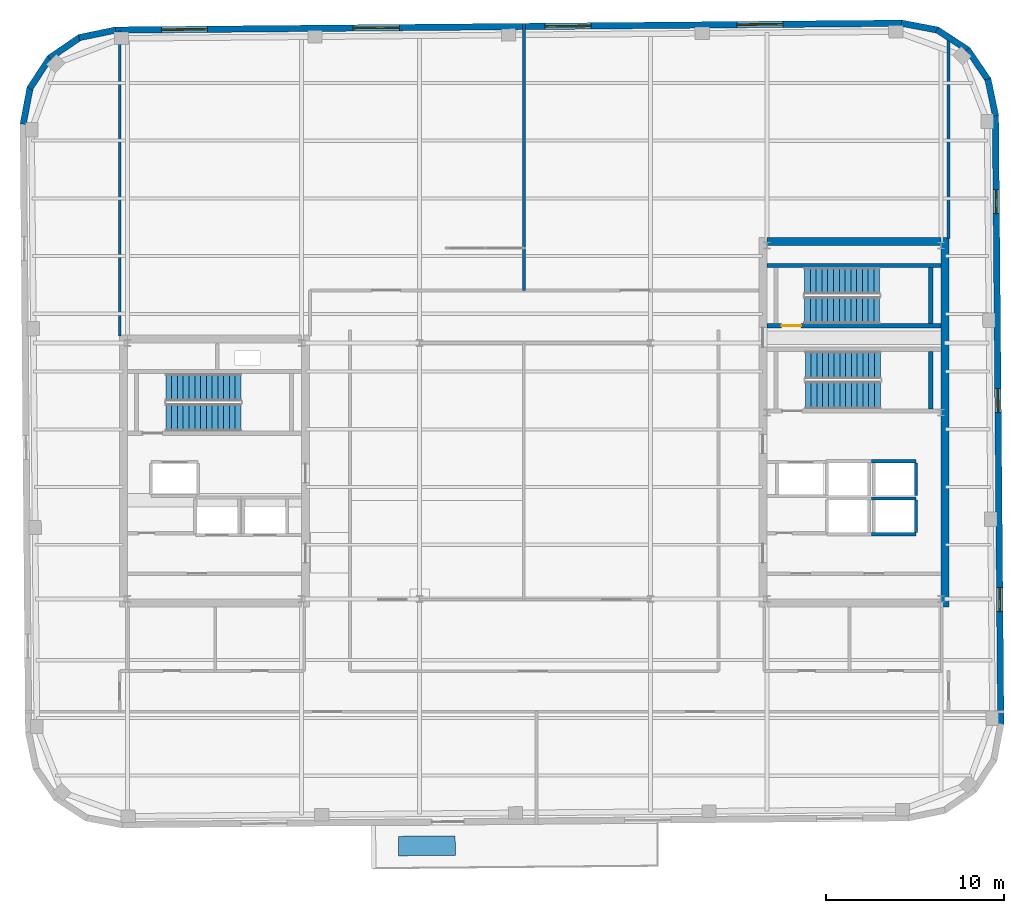
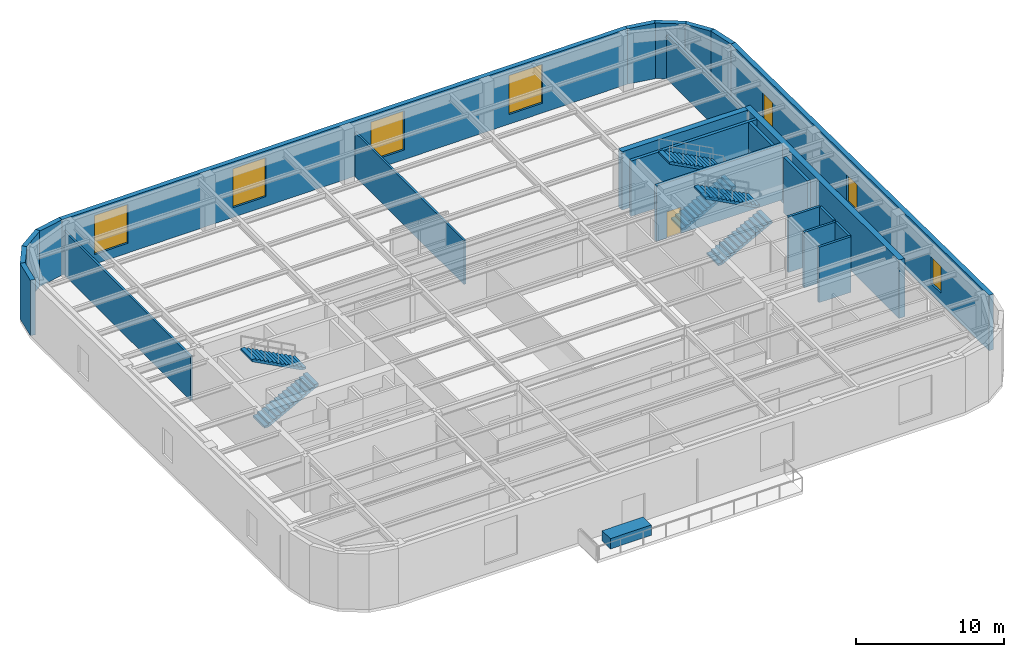
# One storey, part 10 of 13: 24 walls, 7 windows, 6 stair flights, 1 discrete accessory, 1 door, 8 openings, 3 elements without a shape of their own.
"""IFC4 building model written with IfcOpenShell, lengths in metres."""

import ifcopenshell
import ifcopenshell.guid

model = None  # the IFC model being written
_history = None  # IfcOwnerHistory: only IFC2X3 demands one
_inside = {}  # id of a spatial element -> (the spatial element, [elements in it])
_under = {}  # id of a project, library or spatial element -> (it, [spatial elements below it])
_declared = {}  # id of a project -> (the project, [libraries it declares])
_typed = {}  # id of a type object -> (the type object, [elements of that type])
_made_of = {}  # id of a material, layer set ... -> (it, [elements and type objects made of it])


def new_model(schema):
    """Start an empty IFC model of exactly this schema.

    Asked for "IFC4X3", IfcOpenShell would pick the latest addendum, in which some entities
    have other attributes; the version numbers below select the first issue.
    IFC2X3 requires an IfcOwnerHistory on every rooted entity: one is made here for all.
    """
    global model, _history
    if schema == "IFC4X3":
        model = ifcopenshell.file(schema_version=(4, 3, 0, 0))
    else:
        model = ifcopenshell.file(schema=schema)
    _inside.clear()
    _under.clear()
    _declared.clear()
    _typed.clear()
    _made_of.clear()
    _history = None
    if model.schema == "IFC2X3":
        org = make("IfcOrganization", Name="unknown")
        user = make(
            "IfcPersonAndOrganization",
            ThePerson=make("IfcPerson", FamilyName="unknown"),
            TheOrganization=org,
        )
        app = make(
            "IfcApplication",
            ApplicationDeveloper=org,
            Version="unknown",
            ApplicationFullName="unknown",
            ApplicationIdentifier="unknown",
        )
        _history = make(
            "IfcOwnerHistory",
            OwningUser=user,
            OwningApplication=app,
            ChangeAction="ADDED",
            CreationDate=0,
        )
    return model


def make(cls, **values):
    """One entity of the class cls with the attributes given. An attribute that is None is left unset."""
    return model.create_entity(
        cls, **{name: value for name, value in values.items() if value is not None}
    )


def rooted(cls, **values):
    """An entity with a GlobalId (a new one), such as an element, a storey or a relation."""
    return make(cls, GlobalId=ifcopenshell.guid.new(), OwnerHistory=_history, **values)


def si_unit(unit_type, name, prefix=None):
    """IfcSIUnit, for example si_unit("LENGTHUNIT", "METRE", prefix="MILLI")."""
    return make("IfcSIUnit", UnitType=unit_type, Prefix=prefix, Name=name)


def assignment(units):
    """IfcUnitAssignment: the units of a project."""
    return None if units is None else make("IfcUnitAssignment", Units=units)


def point(xyz):
    """IfcCartesianPoint."""
    return None if xyz is None else make("IfcCartesianPoint", Coordinates=xyz)


def direction(xyz):
    """IfcDirection."""
    return None if xyz is None else make("IfcDirection", DirectionRatios=xyz)


def frame(location, z_axis=None, x_axis=None):
    """IfcAxis2Placement3D, a coordinate frame: its origin and axes. An axis left out is left unset."""
    return make(
        "IfcAxis2Placement3D",
        Location=point(location),
        Axis=direction(z_axis),
        RefDirection=direction(x_axis),
    )


def frame_2d(location, x_axis=None):
    """IfcAxis2Placement2D, a coordinate frame in the plane: its origin and x axis."""
    return make(
        "IfcAxis2Placement2D", Location=point(location), RefDirection=direction(x_axis)
    )


def origin():
    """The frame at (0, 0, 0) with its axes left unset."""
    return frame((0.0, 0.0, 0.0))


def origin_2d():
    """The frame at (0, 0) in the plane with its x axis left unset."""
    return frame_2d((0.0, 0.0))


def place(relative_to, where):
    """IfcLocalPlacement: puts the frame where relative to a parent placement (None: the world)."""
    return make(
        "IfcLocalPlacement", PlacementRelTo=relative_to, RelativePlacement=where
    )


def context(
    kind, dimensions, precision=None, world=None, true_north=None, identifier=None
):
    """IfcGeometricRepresentationContext, for example the 3D "Model" context."""
    return make(
        "IfcGeometricRepresentationContext",
        ContextIdentifier=identifier,
        ContextType=kind,
        CoordinateSpaceDimension=dimensions,
        Precision=precision,
        WorldCoordinateSystem=world,
        TrueNorth=true_north,
    )


def subcontext(parent, identifier, kind, view, scale=None):
    """IfcGeometricRepresentationSubContext, for example "Body" below "Model"."""
    return make(
        "IfcGeometricRepresentationSubContext",
        ContextIdentifier=identifier,
        ContextType=kind,
        ParentContext=parent,
        TargetScale=scale,
        TargetView=view,
    )


def project(units=None, contexts=None):
    """IfcProject with its units and contexts."""
    return rooted(
        "IfcProject",
        Name="project",
        RepresentationContexts=contexts,
        UnitsInContext=assignment(units),
    )


def spatial(cls, under=None, at=None, **own):
    """A site, building, storey or space (cls), placed at a placement, below another one or the project."""
    s = rooted(cls, ObjectPlacement=at, **own)
    if under is not None:
        _under.setdefault(under.id(), (under, []))[1].append(s)
    return s


def polyline(points):
    """IfcPolyline through the points."""
    return make("IfcPolyline", Points=[point(p) for p in points])


def profile(cls, at=None, kind="AREA", **sizes):
    """A parametric profile (cls). Its sizes go by their IFC names, for example OverallWidth=200.0."""
    return make(cls, ProfileType=kind, Position=at, **sizes)


def rectangle(**sizes):
    """IfcRectangleProfileDef."""
    return profile("IfcRectangleProfileDef", **sizes)


def outline(outer, holes=None, kind="AREA"):
    """IfcArbitraryClosedProfileDef: a profile drawn as a closed curve; with holes, ...WithVoids."""
    if holes is None:
        return make("IfcArbitraryClosedProfileDef", ProfileType=kind, OuterCurve=outer)
    return make(
        "IfcArbitraryProfileDefWithVoids",
        ProfileType=kind,
        OuterCurve=outer,
        InnerCurves=holes,
    )


def extrude(swept, where, along, depth):
    """IfcExtrudedAreaSolid: the profile swept, set in the frame where, extruded along a direction by depth."""
    return make(
        "IfcExtrudedAreaSolid",
        SweptArea=swept,
        Position=where,
        ExtrudedDirection=direction(along),
        Depth=depth,
    )


def shape(context_of_items, identifier, shape_type, items):
    """IfcShapeRepresentation: the items that make up one representation, for example the "Body"."""
    return make(
        "IfcShapeRepresentation",
        ContextOfItems=context_of_items,
        RepresentationIdentifier=identifier,
        RepresentationType=shape_type,
        Items=items,
    )


def material(Name=None, Category=None):
    """IfcMaterial."""
    return make("IfcMaterial", Name=Name, Category=Category)


def layer(
    of_material, thickness, ventilated=None, Name=None, Category=None, Priority=None
):
    """IfcMaterialLayer: one layer of a wall or slab, of a material (None: an air gap)."""
    return make(
        "IfcMaterialLayer",
        Material=of_material,
        LayerThickness=thickness,
        IsVentilated=ventilated,
        Name=Name,
        Category=Category,
        Priority=Priority,
    )


def layer_set(layers, Name=None):
    """IfcMaterialLayerSet."""
    return make("IfcMaterialLayerSet", MaterialLayers=layers, LayerSetName=Name)


def made_of(thing, what):
    """Note that an element or type object is made of a material, layer set ...; save() writes the relation."""
    if what is not None:
        _made_of.setdefault(what.id(), (what, []))[1].append(thing)
    return thing


def type_object(cls, material=None, **own):
    """A type object (cls), such as IfcWallType, which elements share."""
    return made_of(rooted(cls, **own), material)


def element(
    cls,
    number,
    at=None,
    inside=None,
    cuts=None,
    type_object=None,
    material=None,
    context=None,
    identifier="Body",
    shape_type=None,
    held_by="IfcProductDefinitionShape",
    body=None,
    shapes=None,
    **own,
):
    """One element of the class cls, such as IfcWall. Its Tag is "e" and its number.

    at: its placement. inside: the storey or other place that contains it. cuts: it is an
    opening in that element (IfcRelVoidsElement). A single representation is given by context,
    identifier, shape_type and body (its items); several are given by shapes. held_by: the class
    of the entity that holds the representations. save() writes the other relations.
    """
    e = rooted(cls, Tag="e%d" % number, ObjectPlacement=at, **own)
    if body is not None:
        shapes = [shape(context, identifier, shape_type, body)]
    if shapes is not None:
        e.Representation = make(held_by, Representations=shapes)
    if inside is not None:
        _inside.setdefault(inside.id(), (inside, []))[1].append(e)
    if cuts is not None:
        rooted(
            "IfcRelVoidsElement", RelatingBuildingElement=cuts, RelatedOpeningElement=e
        )
    if type_object is not None:
        _typed.setdefault(type_object.id(), (type_object, []))[1].append(e)
    return made_of(e, material)


def fill(opening, filler):
    """IfcRelFillsElement: the door or window that sits in an opening."""
    return rooted(
        "IfcRelFillsElement",
        RelatingOpeningElement=opening,
        RelatedBuildingElement=filler,
    )


def aggregate(whole, parts):
    """IfcRelAggregates: a whole, such as a stair, and the parts it consists of."""
    return rooted("IfcRelAggregates", RelatingObject=whole, RelatedObjects=parts)


def save(model, path):
    """Write the relations noted so far, then the file.

    IfcRelAggregates (storeys below a building ...), IfcRelContainedInSpatialStructure (elements
    in a storey), IfcRelDefinesByType, IfcRelAssociatesMaterial and IfcRelDeclares: one each for
    every whole, place, type object, material and project.
    """
    for whole, parts in _under.values():
        aggregate(whole, parts)
    for where, things in _inside.values():
        rooted(
            "IfcRelContainedInSpatialStructure",
            RelatedElements=things,
            RelatingStructure=where,
        )
    for kind, things in _typed.values():
        rooted("IfcRelDefinesByType", RelatedObjects=things, RelatingType=kind)
    for what, things in _made_of.values():
        rooted("IfcRelAssociatesMaterial", RelatedObjects=things, RelatingMaterial=what)
    for by, libraries in _declared.values():
        rooted("IfcRelDeclares", RelatingContext=by, RelatedDefinitions=libraries)
    model.write(path)


model = new_model("IFC4")

# Units and contexts
model_context = context("Model", 3, precision=1e-05, world=origin(), true_north=direction((0.0, 1.0)))
body_context = subcontext(model_context, "Body", "Model", "MODEL_VIEW")
ifc_project = project(units=[si_unit("LENGTHUNIT", "METRE"), si_unit("AREAUNIT", "SQUARE_METRE"), si_unit("VOLUMEUNIT", "CUBIC_METRE"), si_unit("PLANEANGLEUNIT", "RADIAN"), si_unit("MASSUNIT", "GRAM", prefix="KILO")], contexts=[model_context])

# Site, building, storey
site_placement = place(None, origin())
site = spatial("IfcSite", under=ifc_project, at=site_placement, CompositionType="ELEMENT")
building_placement = place(site_placement, origin())
building = spatial("IfcBuilding", under=site, at=building_placement, Name="Kolvaren Arena Tower", CompositionType="ELEMENT")
storey_placement = place(building_placement, frame((0.0, 0.0, 312.39990234375)))
storey = spatial("IfcBuildingStorey", under=building, at=storey_placement, Name="L77", CompositionType="ELEMENT", Elevation=312.39990234375)

# Walls
ifc_material_1 = material(Name="Gypsum board acoustic assembly", Category="gypsum")
ifc_layer_1 = layer(ifc_material_1, 0.159912109375)
ifc_layer_set_1 = layer_set([ifc_layer_1], Name="Gypsum board acoustic assembly")
wall_type_1 = type_object("IfcWallType", Name="CORR-160", PredefinedType="PARTITIONING", material=ifc_layer_set_1)
wall_1_placement = place(storey_placement, frame((36.8701171875, 36.820068359375, 0.0), z_axis=(0.0, 0.0, 1.0), x_axis=(0.0, 1.0, 0.0)))
element("IfcWall", 1, at=wall_1_placement, inside=storey, type_object=wall_type_1, Name="Interior Partition Wall (L77)", PredefinedType="PARTITIONING", context=body_context, shape_type="SweptSolid", body=[
    extrude(rectangle(XDim=15.03662109375, YDim=0.159912109375, at=frame_2d((7.518310546875, 0.0))), origin(), (0.0, 0.0, 1.0), 3.6201171875),
])
wall_2_placement = place(storey_placement, frame((14.1201171875, 34.25, 0.0), z_axis=(0.0, 0.0, 1.0), x_axis=(0.0, 1.0, 0.0)))
element("IfcWall", 2, at=wall_2_placement, inside=storey, type_object=wall_type_1, Name="Interior Partition Wall (L77)", PredefinedType="PARTITIONING", context=body_context, shape_type="SweptSolid", body=[
    extrude(rectangle(XDim=17.168212890625, YDim=0.159912109375, at=frame_2d((8.583984375, 0.0))), origin(), (0.0, 0.0, 1.0), 3.6201171875),
])
wall_3_placement = place(storey_placement, frame((60.780029296875, 39.75, 0.0), z_axis=(0.0, 0.0, 1.0), x_axis=(0.0, 1.0, 0.0)))
element("IfcWall", 3, at=wall_3_placement, inside=storey, type_object=wall_type_1, Name="Interior Partition Wall (L77)", PredefinedType="PARTITIONING", context=body_context, shape_type="SweptSolid", body=[
    extrude(rectangle(XDim=11.246826171875, YDim=0.159912109375, at=frame_2d((5.62353515625, 0.0))), origin(), (0.0, 0.0, 1.0), 3.6201171875),
])
ifc_material_2 = material(Name="Concrete 55 MPa", Category="concrete")
ifc_layer_2 = layer(ifc_material_2, 0.449951171875)
ifc_layer_set_2 = layer_set([ifc_layer_2], Name="Concrete 55 MPa")
wall_type_2 = type_object("IfcWallType", Name="CWALL-450", PredefinedType="SHEAR", material=ifc_layer_set_2)
wall_4_placement = place(storey_placement, frame((60.574951171875, 19.0, -0.239990234375), z_axis=(0.0, 0.0, 1.0), x_axis=(0.0, 1.0, 0.0)))
element("IfcWall", 4, at=wall_4_placement, inside=storey, type_object=wall_type_2, Name="Core Shear Wall EC-EAST (L77)", PredefinedType="SHEAR", context=body_context, shape_type="SweptSolid", body=[
    extrude(rectangle(XDim=20.800048828125, YDim=0.449951171875, at=frame_2d((10.39990234375, 0.0))), origin(), (0.0, 0.0, 1.0), 4.800048828125),
])
wall_5_placement = place(storey_placement, frame((50.550048828125, 39.574951171875, -0.239990234375), z_axis=(0.0, 0.0, 1.0), x_axis=(1.0, 0.0, 0.0)))
element("IfcWall", 5, at=wall_5_placement, inside=storey, type_object=wall_type_2, Name="Core Shear Wall EC-NORTH (L77)", PredefinedType="SHEAR", context=body_context, shape_type="SweptSolid", body=[
    extrude(rectangle(XDim=9.800048828125, YDim=0.449951171875, at=frame_2d((4.89990234375, 0.0))), origin(), (0.0, 0.0, 1.0), 4.800048828125),
])

# Wall, openings, windows
ifc_material_3 = material(Name="Precast concrete C50/60", Category="concrete")
ifc_layer_3 = layer(ifc_material_3, 0.360107421875)
ifc_layer_set_3 = layer_set([ifc_layer_3], Name="Precast concrete C50/60")
wall_type_3 = type_object("IfcWallType", Name="EXT-PIER2", PredefinedType="SOLIDWALL", material=ifc_layer_set_3)
wall_6_placement = place(storey_placement, frame((63.419189453125, 46.688232421875, 0.0), z_axis=(0.0, 0.0, 1.0), x_axis=(0.008726391715, -0.999961924319, 0.0)))
wall_6 = element("IfcWall", 6, at=wall_6_placement, inside=storey, type_object=wall_type_3, Name="Exterior Precast Masonry-Frame Wall (L77)", PredefinedType="SOLIDWALL", context=body_context, shape_type="SweptSolid", body=[
    extrude(rectangle(XDim=34.300048828125, YDim=0.360107421875, at=frame_2d((17.14990234375, 0.0))), origin(), (0.0, 0.0, 1.0), 4.56005859375),
])
opening_1_placement = place(wall_6_placement, frame((4.199951171875, 0.0, 0.8798828125)))
opening_1 = element("IfcOpeningElement", 7, at=opening_1_placement, cuts=wall_6, Name="Opening W04", PredefinedType="OPENING", context=body_context, shape_type="SweptSolid", body=[
    extrude(rectangle(XDim=1.35009765625, YDim=2.199951171875, at=frame_2d((0.675048828125, 1.10009765625))), frame((0.0, 0.18994140625, 0.0), z_axis=(0.0, -1.0, 0.0), x_axis=(1.0, 0.0, 0.0)), (0.0, 0.0, 1.0), 0.380126953125),
])
opening_2_placement = place(wall_6_placement, frame((15.39990234375, 0.0, 0.8798828125)))
opening_2 = element("IfcOpeningElement", 8, at=opening_2_placement, cuts=wall_6, Name="Opening W04", PredefinedType="OPENING", context=body_context, shape_type="SweptSolid", body=[
    extrude(rectangle(XDim=1.35009765625, YDim=2.199951171875, at=frame_2d((0.675048828125, 1.10009765625))), frame((0.0, 0.18994140625, 0.0), z_axis=(0.0, -1.0, 0.0), x_axis=(1.0, 0.0, 0.0)), (0.0, 0.0, 1.0), 0.380126953125),
])
opening_3_placement = place(wall_6_placement, frame((26.60009765625, 0.0, 0.8798828125)))
opening_3 = element("IfcOpeningElement", 9, at=opening_3_placement, cuts=wall_6, Name="Opening W04", PredefinedType="OPENING", context=body_context, shape_type="SweptSolid", body=[
    extrude(rectangle(XDim=1.35009765625, YDim=2.199951171875, at=frame_2d((0.675048828125, 1.10009765625))), frame((0.0, 0.18994140625, 0.0), z_axis=(0.0, -1.0, 0.0), x_axis=(1.0, 0.0, 0.0)), (0.0, 0.0, 1.0), 0.380126953125),
])
ifc_material_4 = material(Name="Triple-glazed curved-facet corner window", Category="glass")
window_type_1 = type_object("IfcWindowType", Name="WIN-CRN-A", PartitioningType="SINGLE_PANEL", PredefinedType="WINDOW", material=ifc_material_4)
window_1_placement = place(opening_1_placement, origin())
window_1 = element("IfcWindow", 10, at=window_1_placement, inside=storey, type_object=window_type_1, Name="End-Wall Punched Window (L77)", OverallHeight=2.199951171875, OverallWidth=1.35009765625, PartitioningType="SINGLE_PANEL", PredefinedType="WINDOW", context=body_context, shape_type="SweptSolid", body=[
    extrude(rectangle(XDim=1.35009765625, YDim=2.199951171875, at=frame_2d((0.675048828125, 1.10009765625))), frame((0.0, 0.030029296875, 0.0), z_axis=(0.0, -1.0, 0.0), x_axis=(1.0, 0.0, 0.0)), (0.0, 0.0, 1.0), 0.06005859375),
])
fill(opening_1, window_1)
window_2_placement = place(opening_2_placement, origin())
window_2 = element("IfcWindow", 11, at=window_2_placement, inside=storey, type_object=window_type_1, Name="End-Wall Punched Window (L77)", OverallHeight=2.199951171875, OverallWidth=1.35009765625, PartitioningType="SINGLE_PANEL", PredefinedType="WINDOW", context=body_context, shape_type="SweptSolid", body=[
    extrude(rectangle(XDim=1.35009765625, YDim=2.199951171875, at=frame_2d((0.675048828125, 1.10009765625))), frame((0.0, 0.030029296875, 0.0), z_axis=(0.0, -1.0, 0.0), x_axis=(1.0, 0.0, 0.0)), (0.0, 0.0, 1.0), 0.06005859375),
])
fill(opening_2, window_2)
window_3_placement = place(opening_3_placement, origin())
window_3 = element("IfcWindow", 12, at=window_3_placement, inside=storey, type_object=window_type_1, Name="End-Wall Punched Window (L77)", OverallHeight=2.199951171875, OverallWidth=1.35009765625, PartitioningType="SINGLE_PANEL", PredefinedType="WINDOW", context=body_context, shape_type="SweptSolid", body=[
    extrude(rectangle(XDim=1.35009765625, YDim=2.199951171875, at=frame_2d((0.675048828125, 1.10009765625))), frame((0.0, 0.030029296875, 0.0), z_axis=(0.0, -1.0, 0.0), x_axis=(1.0, 0.0, 0.0)), (0.0, 0.0, 1.0), 0.06005859375),
])
fill(opening_3, window_3)

# Walls
for number, where, z_axis, x_axis, name in (
    (13, (62.993896484375, 48.7158203125, 0.0), (0.0, 0.0, 1.0), (0.203709000552, -0.979031482177, 0.0), "Exterior Precast Masonry-Frame Wall (L77)"),
    (14, (61.835693359375, 50.392822265625, 0.0), (0.0, 0.0, 1.0), (0.562829722645, -0.826572866302, 0.0), "Exterior Precast Masonry-Frame Wall (L77)"),
):
    element("IfcWall", number, at=place(storey_placement, frame(where, z_axis=z_axis, x_axis=x_axis)), inside=storey, type_object=wall_type_3, Name=name, PredefinedType="SOLIDWALL", context=body_context, shape_type="SweptSolid", body=[
        extrude(rectangle(XDim=2.10693359375, YDim=0.360107421875, at=frame_2d((1.053466796875, 0.0))), origin(), (0.0, 0.0, 1.0), 4.56005859375),
    ])
for number, where, z_axis, x_axis, name in (
    (15, (60.123779296875, 51.498779296875, 0.0), (0.0, 0.0, 1.0), (0.83632188969, -0.548238722478, 0.0), "Exterior Precast Masonry-Frame Wall (L77)"),
    (16, (58.118896484375, 51.865478515625, 0.0), (0.0, 0.0, 1.0), (0.982463107022, -0.186457081764, 0.0), "Exterior Precast Masonry-Frame Wall (L77)"),
):
    element("IfcWall", number, at=place(storey_placement, frame(where, z_axis=z_axis, x_axis=x_axis)), inside=storey, type_object=wall_type_3, Name=name, PredefinedType="SOLIDWALL", context=body_context, shape_type="SweptSolid", body=[
        extrude(rectangle(XDim=2.106689453125, YDim=0.360107421875, at=frame_2d((1.05322265625, 0.0))), origin(), (0.0, 0.0, 1.0), 4.56005859375),
    ])

# Wall, openings, windows
wall_7_placement = place(storey_placement, frame((13.855712890625, 51.475830078125, 0.0), z_axis=(0.0, 0.0, 1.0), x_axis=(0.999961944954, 0.008724026757, 0.0)))
wall_7 = element("IfcWall", 17, at=wall_7_placement, inside=storey, type_object=wall_type_3, Name="Exterior Precast Masonry-Frame Wall (L77)", PredefinedType="SOLIDWALL", context=body_context, shape_type="SweptSolid", body=[
    extrude(rectangle(XDim=44.300048828125, YDim=0.360107421875, at=frame_2d((22.14990234375, 0.0))), origin(), (0.0, 0.0, 1.0), 4.56005859375),
])
opening_4_placement = place(wall_7_placement, frame((2.60009765625, 0.0, 0.800048828125)))
opening_4 = element("IfcOpeningElement", 18, at=opening_4_placement, cuts=wall_7, Name="Opening W06", PredefinedType="OPENING", context=body_context, shape_type="SweptSolid", body=[
    extrude(rectangle(XDim=2.60009765625, YDim=3.199951171875, at=frame_2d((1.300048828125, 1.60009765625))), frame((0.0, 0.18994140625, 0.0), z_axis=(0.0, -1.0, 0.0), x_axis=(1.0, 0.0, 0.0)), (0.0, 0.0, 1.0), 0.380126953125),
])
opening_5_placement = place(wall_7_placement, frame((13.39990234375, 0.0, 0.800048828125)))
opening_5 = element("IfcOpeningElement", 19, at=opening_5_placement, cuts=wall_7, Name="Opening W06", PredefinedType="OPENING", context=body_context, shape_type="SweptSolid", body=[
    extrude(rectangle(XDim=2.60009765625, YDim=3.199951171875, at=frame_2d((1.300048828125, 1.60009765625))), frame((0.0, 0.18994140625, 0.0), z_axis=(0.0, -1.0, 0.0), x_axis=(1.0, 0.0, 0.0)), (0.0, 0.0, 1.0), 0.380126953125),
])
opening_6_placement = place(wall_7_placement, frame((24.199951171875, 0.0, 0.800048828125)))
opening_6 = element("IfcOpeningElement", 20, at=opening_6_placement, cuts=wall_7, Name="Opening W06", PredefinedType="OPENING", context=body_context, shape_type="SweptSolid", body=[
    extrude(rectangle(XDim=2.60009765625, YDim=3.199951171875, at=frame_2d((1.300048828125, 1.60009765625))), frame((0.0, 0.18994140625, 0.0), z_axis=(0.0, -1.0, 0.0), x_axis=(1.0, 0.0, 0.0)), (0.0, 0.0, 1.0), 0.380126953125),
])
opening_7_placement = place(wall_7_placement, frame((35.0, 0.0, 0.800048828125)))
opening_7 = element("IfcOpeningElement", 21, at=opening_7_placement, cuts=wall_7, Name="Opening W06", PredefinedType="OPENING", context=body_context, shape_type="SweptSolid", body=[
    extrude(rectangle(XDim=2.60009765625, YDim=3.199951171875, at=frame_2d((1.300048828125, 1.60009765625))), frame((0.0, 0.18994140625, 0.0), z_axis=(0.0, -1.0, 0.0), x_axis=(1.0, 0.0, 0.0)), (0.0, 0.0, 1.0), 0.380126953125),
])
ifc_material_5 = material(Name="Triple-glazed observatory picture window", Category="glass")
window_type_2 = type_object("IfcWindowType", Name="WIN-OBS-A", PartitioningType="DOUBLE_PANEL_VERTICAL", PredefinedType="WINDOW", material=ifc_material_5)
window_4_placement = place(opening_4_placement, origin())
window_4 = element("IfcWindow", 22, at=window_4_placement, inside=storey, type_object=window_type_2, Name="Punched Precast-Pier Window (L77)", OverallHeight=3.199951171875, OverallWidth=2.60009765625, PartitioningType="DOUBLE_PANEL_VERTICAL", PredefinedType="WINDOW", context=body_context, shape_type="SweptSolid", body=[
    extrude(rectangle(XDim=2.60009765625, YDim=3.199951171875, at=frame_2d((1.300048828125, 1.60009765625))), frame((0.0, 0.030029296875, 0.0), z_axis=(0.0, -1.0, 0.0), x_axis=(1.0, 0.0, 0.0)), (0.0, 0.0, 1.0), 0.06005859375),
])
fill(opening_4, window_4)
window_5_placement = place(opening_5_placement, origin())
window_5 = element("IfcWindow", 23, at=window_5_placement, inside=storey, type_object=window_type_2, Name="Punched Precast-Pier Window (L77)", OverallHeight=3.199951171875, OverallWidth=2.60009765625, PartitioningType="DOUBLE_PANEL_VERTICAL", PredefinedType="WINDOW", context=body_context, shape_type="SweptSolid", body=[
    extrude(rectangle(XDim=2.60009765625, YDim=3.199951171875, at=frame_2d((1.300048828125, 1.60009765625))), frame((0.0, 0.030029296875, 0.0), z_axis=(0.0, -1.0, 0.0), x_axis=(1.0, 0.0, 0.0)), (0.0, 0.0, 1.0), 0.06005859375),
])
fill(opening_5, window_5)
window_6_placement = place(opening_6_placement, origin())
window_6 = element("IfcWindow", 24, at=window_6_placement, inside=storey, type_object=window_type_2, Name="Punched Precast-Pier Window (L77)", OverallHeight=3.199951171875, OverallWidth=2.60009765625, PartitioningType="DOUBLE_PANEL_VERTICAL", PredefinedType="WINDOW", context=body_context, shape_type="SweptSolid", body=[
    extrude(rectangle(XDim=2.60009765625, YDim=3.199951171875, at=frame_2d((1.300048828125, 1.60009765625))), frame((0.0, 0.030029296875, 0.0), z_axis=(0.0, -1.0, 0.0), x_axis=(1.0, 0.0, 0.0)), (0.0, 0.0, 1.0), 0.06005859375),
])
fill(opening_6, window_6)
window_7_placement = place(opening_7_placement, origin())
window_7 = element("IfcWindow", 25, at=window_7_placement, inside=storey, type_object=window_type_2, Name="Punched Precast-Pier Window (L77)", OverallHeight=3.199951171875, OverallWidth=2.60009765625, PartitioningType="DOUBLE_PANEL_VERTICAL", PredefinedType="WINDOW", context=body_context, shape_type="SweptSolid", body=[
    extrude(rectangle(XDim=2.60009765625, YDim=3.199951171875, at=frame_2d((1.300048828125, 1.60009765625))), frame((0.0, 0.030029296875, 0.0), z_axis=(0.0, -1.0, 0.0), x_axis=(1.0, 0.0, 0.0)), (0.0, 0.0, 1.0), 0.06005859375),
])
fill(opening_7, window_7)

# Walls
for number, where, z_axis, x_axis, name in (
    (26, (11.827880859375, 51.050537109375, 0.0), (0.0, 0.0, 1.0), (0.97905458633, 0.203597929717, 0.0), "Exterior Precast Masonry-Frame Wall (L77)"),
    (27, (10.15087890625, 49.89208984375, 0.0), (0.0, 0.0, 1.0), (0.826609569219, 0.56277581689, 0.0), "Exterior Precast Masonry-Frame Wall (L77)"),
):
    element("IfcWall", number, at=place(storey_placement, frame(where, z_axis=z_axis, x_axis=x_axis)), inside=storey, type_object=wall_type_3, Name=name, PredefinedType="SOLIDWALL", context=body_context, shape_type="SweptSolid", body=[
        extrude(rectangle(XDim=2.10693359375, YDim=0.360107421875, at=frame_2d((1.053466796875, 0.0))), origin(), (0.0, 0.0, 1.0), 4.56005859375),
    ])
for number, where, z_axis, x_axis, name in (
    (28, (9.044921875, 48.18017578125, 0.0), (0.0, 0.0, 1.0), (0.548266637224, 0.836303589916, 0.0), "Exterior Precast Masonry-Frame Wall (L77)"),
    (29, (8.67822265625, 46.17529296875, 0.0), (0.0, 0.0, 1.0), (0.186547695246, 0.982445905584, 0.0), "Exterior Precast Masonry-Frame Wall (L77)"),
):
    element("IfcWall", number, at=place(storey_placement, frame(where, z_axis=z_axis, x_axis=x_axis)), inside=storey, type_object=wall_type_3, Name=name, PredefinedType="SOLIDWALL", context=body_context, shape_type="SweptSolid", body=[
        extrude(rectangle(XDim=2.107177734375, YDim=0.360107421875, at=frame_2d((1.0537109375, 0.0))), origin(), (0.0, 0.0, 1.0), 4.56005859375),
    ])
ifc_material_6 = material(Name="Concrete 45 MPa", Category="concrete")
ifc_layer_4 = layer(ifc_material_6, 0.25)
ifc_layer_set_4 = layer_set([ifc_layer_4], Name="Concrete 45 MPa")
wall_type_4 = type_object("IfcWallType", Name="SHAFT-250", PredefinedType="SOLIDWALL", material=ifc_layer_set_4)
wall_8_placement = place(storey_placement, frame((59.780029296875, 30.14990234375, 0.0), z_axis=(0.0, 0.0, 1.0), x_axis=(0.0, 1.0, 0.0)))
element("IfcWall", 30, at=wall_8_placement, inside=storey, type_object=wall_type_4, Name="Core Shaft Wall (L77)", PredefinedType="SOLIDWALL", context=body_context, shape_type="SweptSolid", body=[
    extrude(rectangle(XDim=3.22998046875, YDim=0.239990234375, at=frame_2d((1.614990234375, 0.0))), origin(), (0.0, 0.0, 1.0), 4.56005859375),
])

# Wall, opening, door
wall_9_placement = place(storey_placement, frame((60.35009765625, 34.830078125, 0.0), z_axis=(0.0, 0.0, 1.0), x_axis=(-1.0, 0.0, 0.0)))
wall_9 = element("IfcWall", 31, at=wall_9_placement, inside=storey, type_object=wall_type_4, Name="Core Shaft Wall (L77)", PredefinedType="SOLIDWALL", context=body_context, shape_type="SweptSolid", body=[
    extrude(rectangle(XDim=9.800048828125, YDim=0.239990234375, at=frame_2d((4.89990234375, 0.0))), origin(), (0.0, 0.0, 1.0), 4.56005859375),
])
opening_8_placement = place(wall_9_placement, frame((7.8701171875, 0.0, 0.0)))
opening_8 = element("IfcOpeningElement", 32, at=opening_8_placement, cuts=wall_9, Name="Opening D03", PredefinedType="OPENING", context=body_context, shape_type="SweptSolid", body=[
    extrude(rectangle(XDim=1.10009765625, YDim=2.14990234375, at=frame_2d((0.550048828125, 1.074951171875))), frame((0.0, 0.1298828125, 0.0), z_axis=(0.0, -1.0, 0.0), x_axis=(1.0, 0.0, 0.0)), (0.0, 0.0, 1.0), 0.260009765625),
])
ifc_material_7 = material(Name="Fire-rated steel exit stair door", Category="steel")
door_type = type_object("IfcDoorType", Name="DOOR-ST-110", OperationType="NOTDEFINED", PredefinedType="DOOR", material=ifc_material_7)
door_placement = place(opening_8_placement, origin())
door = element("IfcDoor", 33, at=door_placement, inside=storey, type_object=door_type, Name="Stair ST-E2 Fire Door (L77)", OperationType="SINGLE_SWING_LEFT", OverallHeight=2.14990234375, OverallWidth=1.10009765625, PredefinedType="DOOR", context=body_context, shape_type="SweptSolid", body=[
    extrude(rectangle(XDim=1.10009765625, YDim=2.14990234375, at=frame_2d((0.550048828125, 1.074951171875))), frame((0.0, 0.02490234375, 0.0), z_axis=(0.0, -1.0, 0.0), x_axis=(1.0, 0.0, 0.0)), (0.0, 0.0, 1.0), 0.050048828125),
])
fill(opening_8, door)

# Walls
wall_10_placement = place(storey_placement, frame((50.550048828125, 38.219970703125, 0.0), z_axis=(0.0, 0.0, 1.0), x_axis=(1.0, 0.0, 0.0)))
element("IfcWall", 34, at=wall_10_placement, inside=storey, type_object=wall_type_4, Name="Core Shaft Wall (L77)", PredefinedType="SOLIDWALL", context=body_context, shape_type="SweptSolid", body=[
    extrude(rectangle(XDim=9.800048828125, YDim=0.239990234375, at=frame_2d((4.89990234375, 0.0))), origin(), (0.0, 0.0, 1.0), 4.56005859375),
])
wall_11_placement = place(storey_placement, frame((59.780029296875, 34.949951171875, 0.0), z_axis=(0.0, 0.0, 1.0), x_axis=(0.0, 1.0, 0.0)))
element("IfcWall", 35, at=wall_11_placement, inside=storey, type_object=wall_type_4, Name="Core Shaft Wall (L77)", PredefinedType="SOLIDWALL", context=body_context, shape_type="SweptSolid", body=[
    extrude(rectangle(XDim=3.150146484375, YDim=0.239990234375, at=frame_2d((1.5751953125, 0.0))), origin(), (0.0, 0.0, 1.0), 4.56005859375),
])
for number, where, z_axis, x_axis, name in (
    (36, (56.43994140625, 25.10498046875, 0.0), (0.0, 0.0, 1.0), (1.0, 0.0, 0.0), "Core Shaft Wall (L77)"),
    (37, (56.43994140625, 23.094970703125, 0.0), (0.0, 0.0, 1.0), (1.0, 0.0, 0.0), "Core Shaft Wall (L77)"),
):
    element("IfcWall", number, at=place(storey_placement, frame(where, z_axis=z_axis, x_axis=x_axis)), inside=storey, type_object=wall_type_4, Name=name, PredefinedType="SOLIDWALL", context=body_context, shape_type="SweptSolid", body=[
        extrude(rectangle(XDim=2.5, YDim=0.179931640625, at=frame_2d((1.25, 0.0))), origin(), (0.0, 0.0, 1.0), 4.56005859375),
    ])
wall_12_placement = place(storey_placement, frame((58.93994140625, 23.18505859375, 0.0), z_axis=(0.0, 0.0, 1.0), x_axis=(0.0, 1.0, 0.0)))
element("IfcWall", 38, at=wall_12_placement, inside=storey, type_object=wall_type_4, Name="Core Shaft Wall (L77)", PredefinedType="SOLIDWALL", context=body_context, shape_type="SweptSolid", body=[
    extrude(rectangle(XDim=1.829833984375, YDim=0.179931640625, at=frame_2d((0.9150390625, 0.0))), origin(), (0.0, 0.0, 1.0), 4.56005859375),
])
wall_13_placement = place(storey_placement, frame((56.43994140625, 27.205078125, 0.0), z_axis=(0.0, 0.0, 1.0), x_axis=(1.0, 0.0, 0.0)))
element("IfcWall", 39, at=wall_13_placement, inside=storey, type_object=wall_type_4, Name="Core Shaft Wall (L77)", PredefinedType="SOLIDWALL", context=body_context, shape_type="SweptSolid", body=[
    extrude(rectangle(XDim=2.5, YDim=0.179931640625, at=frame_2d((1.25, 0.0))), origin(), (0.0, 0.0, 1.0), 4.56005859375),
])
wall_14_placement = place(storey_placement, frame((58.93994140625, 25.284912109375, 0.0), z_axis=(0.0, 0.0, 1.0), x_axis=(0.0, 1.0, 0.0)))
element("IfcWall", 40, at=wall_14_placement, inside=storey, type_object=wall_type_4, Name="Core Shaft Wall (L77)", PredefinedType="SOLIDWALL", context=body_context, shape_type="SweptSolid", body=[
    extrude(rectangle(XDim=1.830078125, YDim=0.179931640625, at=frame_2d((0.9150390625, 0.0))), origin(), (0.0, 0.0, 1.0), 4.56005859375),
])

# Stair, stair flights
stair_type_1 = type_object("IfcStairType", Name="STAIR-CORE-150", PredefinedType="HALF_TURN_STAIR", material=ifc_material_6)
stair_1_placement = place(storey_placement, origin())
stair_1 = element("IfcStair", 41, at=stair_1_placement, inside=storey, type_object=stair_type_1, Name="L77 ST-E2", PredefinedType="HALF_TURN_STAIR")
stair_flight_type_1 = type_object("IfcStairFlightType", Name="FLT-150", PredefinedType="STRAIGHT", material=ifc_material_6)
stair_flight_1_placement = place(storey_placement, frame((52.679931640625, 35.699951171875, 0.0), z_axis=(0.0, 0.0, 1.0), x_axis=(1.0, 0.0, 0.0)))
stair_flight_1 = element("IfcStairFlight", 42, at=stair_flight_1_placement, type_object=stair_flight_type_1, Name="ST-E2 flight 1", NumberOfRisers=14, NumberOfTreads=13, PredefinedType="STRAIGHT", RiserHeight=0.171428571, TreadLength=0.324, context=body_context, shape_type="SweptSolid", body=[
    extrude(outline(polyline([(0.0, 0.0), (0.0, 0.17138671875), (0.323974609375, 0.17138671875), (0.323974609375, 0.3427734375), (0.64794921875, 0.3427734375), (0.64794921875, 0.514404296875), (0.971923828125, 0.514404296875), (0.971923828125, 0.685791015625), (1.2958984375, 0.685791015625), (1.2958984375, 0.857177734375), (1.6201171875, 0.857177734375), (1.6201171875, 1.028564453125), (1.944091796875, 1.028564453125), (1.944091796875, 1.199951171875), (2.26806640625, 1.199951171875), (2.26806640625, 1.371337890625), (2.592041015625, 1.371337890625), (2.592041015625, 1.54296875), (2.916015625, 1.54296875), (2.916015625, 1.71435546875), (3.239990234375, 1.71435546875), (3.239990234375, 1.8857421875), (3.56396484375, 1.8857421875), (3.56396484375, 2.05712890625), (3.887939453125, 2.05712890625), (3.887939453125, 2.228515625), (4.2119140625, 2.228515625), (4.2119140625, 2.39990234375), (4.2119140625, 2.05908203125), (0.320556640625, 0.0), (0.0, 0.0)])), frame((0.0, 0.75, 0.0), z_axis=(0.0, -1.0, 0.0), x_axis=(1.0, 0.0, 0.0)), (0.0, 0.0, 1.0), 1.5),
])
stair_flight_2_placement = place(storey_placement, frame((56.89208984375, 37.35009765625, 2.400146484375), z_axis=(0.0, 0.0, 1.0), x_axis=(-1.0, 0.0, 0.0)))
stair_flight_2 = element("IfcStairFlight", 43, at=stair_flight_2_placement, type_object=stair_flight_type_1, Name="ST-E2 flight 2", NumberOfRisers=14, NumberOfTreads=13, PredefinedType="STRAIGHT", RiserHeight=0.171428571, TreadLength=0.324, context=body_context, shape_type="SweptSolid", body=[
    extrude(outline(polyline([(0.0, 0.0), (0.0, 0.17138671875), (0.323974609375, 0.17138671875), (0.323974609375, 0.3427734375), (0.64794921875, 0.3427734375), (0.64794921875, 0.514404296875), (0.971923828125, 0.514404296875), (0.971923828125, 0.685791015625), (1.2958984375, 0.685791015625), (1.2958984375, 0.857177734375), (1.6201171875, 0.857177734375), (1.6201171875, 1.028564453125), (1.944091796875, 1.028564453125), (1.944091796875, 1.199951171875), (2.26806640625, 1.199951171875), (2.26806640625, 1.371337890625), (2.592041015625, 1.371337890625), (2.592041015625, 1.54296875), (2.916015625, 1.54296875), (2.916015625, 1.71435546875), (3.239990234375, 1.71435546875), (3.239990234375, 1.8857421875), (3.56396484375, 1.8857421875), (3.56396484375, 2.05712890625), (3.887939453125, 2.05712890625), (3.887939453125, 2.228515625), (4.2119140625, 2.228515625), (4.2119140625, 2.39990234375), (4.2119140625, 2.05908203125), (0.320556640625, 0.0), (0.0, 0.0)])), frame((0.0, 0.75, 0.0), z_axis=(0.0, -1.0, 0.0), x_axis=(1.0, 0.0, 0.0)), (0.0, 0.0, 1.0), 1.5),
])
aggregate(stair_1, [stair_flight_1, stair_flight_2])

stair_type_2 = type_object("IfcStairType", Name="STAIR-CORE-165", PredefinedType="HALF_TURN_STAIR", material=ifc_material_6)
stair_2_placement = place(storey_placement, origin())
stair_2 = element("IfcStair", 44, at=stair_2_placement, inside=storey, type_object=stair_type_2, Name="L77 ST-W1", PredefinedType="HALF_TURN_STAIR")
stair_flight_type_2 = type_object("IfcStairFlightType", Name="FLT-165", PredefinedType="STRAIGHT", material=ifc_material_6)
stair_flight_3_placement = place(storey_placement, frame((16.719970703125, 29.669921875, 0.0), z_axis=(0.0, 0.0, 1.0), x_axis=(1.0, 0.0, 0.0)))
stair_flight_3 = element("IfcStairFlight", 45, at=stair_flight_3_placement, type_object=stair_flight_type_2, Name="ST-W1 flight 1", NumberOfRisers=14, NumberOfTreads=13, PredefinedType="STRAIGHT", RiserHeight=0.171428571, TreadLength=0.324, context=body_context, shape_type="SweptSolid", body=[
    extrude(outline(polyline([(0.0, 0.0), (0.0, 0.17138671875), (0.323974609375, 0.17138671875), (0.323974609375, 0.3427734375), (0.64794921875, 0.3427734375), (0.64794921875, 0.514404296875), (0.971923828125, 0.514404296875), (0.971923828125, 0.685791015625), (1.2958984375, 0.685791015625), (1.2958984375, 0.857177734375), (1.6201171875, 0.857177734375), (1.6201171875, 1.028564453125), (1.944091796875, 1.028564453125), (1.944091796875, 1.199951171875), (2.26806640625, 1.199951171875), (2.26806640625, 1.371337890625), (2.592041015625, 1.371337890625), (2.592041015625, 1.54296875), (2.916015625, 1.54296875), (2.916015625, 1.71435546875), (3.239990234375, 1.71435546875), (3.239990234375, 1.8857421875), (3.56396484375, 1.8857421875), (3.56396484375, 2.05712890625), (3.887939453125, 2.05712890625), (3.887939453125, 2.228515625), (4.2119140625, 2.228515625), (4.2119140625, 2.39990234375), (4.2119140625, 2.05908203125), (0.320556640625, 0.0), (0.0, 0.0)])), frame((0.0, 0.77001953125, 0.0), z_axis=(0.0, -1.0, 0.0), x_axis=(1.0, 0.0, 0.0)), (0.0, 0.0, 1.0), 1.5400390625),
])
stair_flight_4_placement = place(storey_placement, frame((20.931884765625, 31.360107421875, 2.400146484375), z_axis=(0.0, 0.0, 1.0), x_axis=(-1.0, 0.0, 0.0)))
stair_flight_4 = element("IfcStairFlight", 46, at=stair_flight_4_placement, type_object=stair_flight_type_2, Name="ST-W1 flight 2", NumberOfRisers=14, NumberOfTreads=13, PredefinedType="STRAIGHT", RiserHeight=0.171428571, TreadLength=0.324, context=body_context, shape_type="SweptSolid", body=[
    extrude(outline(polyline([(0.0, 0.0), (0.0, 0.17138671875), (0.323974609375, 0.17138671875), (0.323974609375, 0.3427734375), (0.64794921875, 0.3427734375), (0.64794921875, 0.514404296875), (0.971923828125, 0.514404296875), (0.971923828125, 0.685791015625), (1.2958984375, 0.685791015625), (1.2958984375, 0.857177734375), (1.6201171875, 0.857177734375), (1.6201171875, 1.028564453125), (1.944091796875, 1.028564453125), (1.944091796875, 1.199951171875), (2.26806640625, 1.199951171875), (2.26806640625, 1.371337890625), (2.592041015625, 1.371337890625), (2.592041015625, 1.54296875), (2.916015625, 1.54296875), (2.916015625, 1.71435546875), (3.239990234375, 1.71435546875), (3.239990234375, 1.8857421875), (3.56396484375, 1.8857421875), (3.56396484375, 2.05712890625), (3.887939453125, 2.05712890625), (3.887939453125, 2.228515625), (4.2119140625, 2.228515625), (4.2119140625, 2.39990234375), (4.2119140625, 2.05908203125), (0.320556640625, 0.0), (0.0, 0.0)])), frame((0.0, 0.77001953125, 0.0), z_axis=(0.0, -1.0, 0.0), x_axis=(1.0, 0.0, 0.0)), (0.0, 0.0, 1.0), 1.5400390625),
])
aggregate(stair_2, [stair_flight_3, stair_flight_4])

stair_3_placement = place(storey_placement, origin())
stair_3 = element("IfcStair", 47, at=stair_3_placement, inside=storey, type_object=stair_type_2, Name="L77 ST-E1", PredefinedType="HALF_TURN_STAIR")
stair_flight_5_placement = place(storey_placement, frame((52.719970703125, 30.919921875, 0.0), z_axis=(0.0, 0.0, 1.0), x_axis=(1.0, 0.0, 0.0)))
stair_flight_5 = element("IfcStairFlight", 48, at=stair_flight_5_placement, type_object=stair_flight_type_2, Name="ST-E1 flight 1", NumberOfRisers=14, NumberOfTreads=13, PredefinedType="STRAIGHT", RiserHeight=0.171428571, TreadLength=0.324, context=body_context, shape_type="SweptSolid", body=[
    extrude(outline(polyline([(0.0, 0.0), (0.0, 0.17138671875), (0.323974609375, 0.17138671875), (0.323974609375, 0.3427734375), (0.64794921875, 0.3427734375), (0.64794921875, 0.514404296875), (0.971923828125, 0.514404296875), (0.971923828125, 0.685791015625), (1.2958984375, 0.685791015625), (1.2958984375, 0.857177734375), (1.6201171875, 0.857177734375), (1.6201171875, 1.028564453125), (1.944091796875, 1.028564453125), (1.944091796875, 1.199951171875), (2.26806640625, 1.199951171875), (2.26806640625, 1.371337890625), (2.592041015625, 1.371337890625), (2.592041015625, 1.54296875), (2.916015625, 1.54296875), (2.916015625, 1.71435546875), (3.239990234375, 1.71435546875), (3.239990234375, 1.8857421875), (3.56396484375, 1.8857421875), (3.56396484375, 2.05712890625), (3.887939453125, 2.05712890625), (3.887939453125, 2.228515625), (4.2119140625, 2.228515625), (4.2119140625, 2.39990234375), (4.2119140625, 2.05908203125), (0.320556640625, 0.0), (0.0, 0.0)])), frame((0.0, 0.77001953125, 0.0), z_axis=(0.0, -1.0, 0.0), x_axis=(1.0, 0.0, 0.0)), (0.0, 0.0, 1.0), 1.5400390625),
])
stair_flight_6_placement = place(storey_placement, frame((56.931884765625, 32.610107421875, 2.400146484375), z_axis=(0.0, 0.0, 1.0), x_axis=(-1.0, 0.0, 0.0)))
stair_flight_6 = element("IfcStairFlight", 49, at=stair_flight_6_placement, type_object=stair_flight_type_2, Name="ST-E1 flight 2", NumberOfRisers=14, NumberOfTreads=13, PredefinedType="STRAIGHT", RiserHeight=0.171428571, TreadLength=0.324, context=body_context, shape_type="SweptSolid", body=[
    extrude(outline(polyline([(0.0, 0.0), (0.0, 0.17138671875), (0.323974609375, 0.17138671875), (0.323974609375, 0.3427734375), (0.64794921875, 0.3427734375), (0.64794921875, 0.514404296875), (0.971923828125, 0.514404296875), (0.971923828125, 0.685791015625), (1.2958984375, 0.685791015625), (1.2958984375, 0.857177734375), (1.6201171875, 0.857177734375), (1.6201171875, 1.028564453125), (1.944091796875, 1.028564453125), (1.944091796875, 1.199951171875), (2.26806640625, 1.199951171875), (2.26806640625, 1.371337890625), (2.592041015625, 1.371337890625), (2.592041015625, 1.54296875), (2.916015625, 1.54296875), (2.916015625, 1.71435546875), (3.239990234375, 1.71435546875), (3.239990234375, 1.8857421875), (3.56396484375, 1.8857421875), (3.56396484375, 2.05712890625), (3.887939453125, 2.05712890625), (3.887939453125, 2.228515625), (4.2119140625, 2.228515625), (4.2119140625, 2.39990234375), (4.2119140625, 2.05908203125), (0.320556640625, 0.0), (0.0, 0.0)])), frame((0.0, 0.77001953125, 0.0), z_axis=(0.0, -1.0, 0.0), x_axis=(1.0, 0.0, 0.0)), (0.0, 0.0, 1.0), 1.5400390625),
])
aggregate(stair_3, [stair_flight_5, stair_flight_6])

# Discrete accessory
ifc_material_8 = material(Name="Precast concrete C45/55 structural planter with planting soil", Category="concrete")
discrete_accessory_type = type_object("IfcDiscreteAccessoryType", Name="ACC-PLNT-1", PredefinedType="USERDEFINED", material=ifc_material_8)
discrete_accessory_placement = place(storey_placement, frame((31.4072265625, 5.55078125, 0.0), z_axis=(0.0, 0.0, 1.0), x_axis=(0.999961923064, 0.008726535498, 0.0)))
element("IfcDiscreteAccessory", 50, at=discrete_accessory_placement, inside=storey, type_object=discrete_accessory_type, Name="Planted Terrace Soil Planter (L77)", ObjectType="PLANTER", PredefinedType="USERDEFINED", context=body_context, shape_type="SweptSolid", body=[
    extrude(rectangle(XDim=3.199951171875, YDim=1.10009765625, at=origin_2d()), origin(), (0.0, 0.0, 1.0), 0.85009765625),
])

save(model, "model.ifc")
